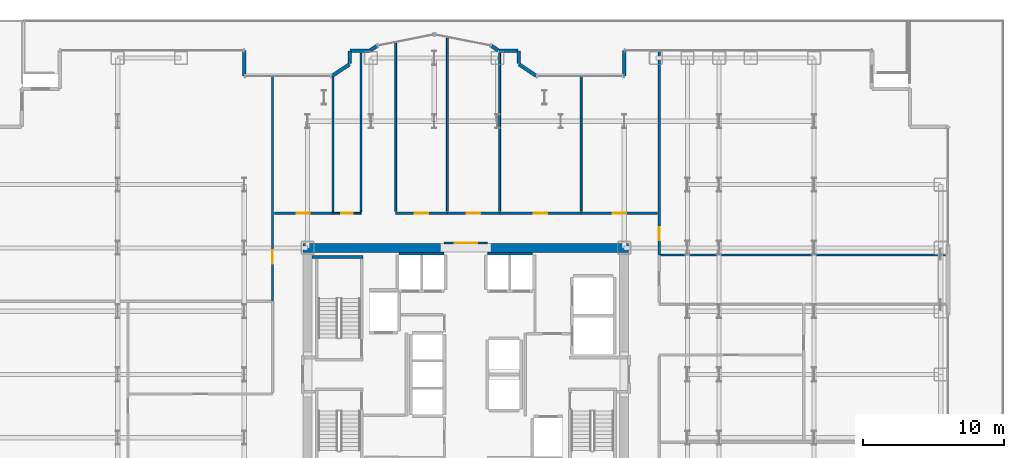
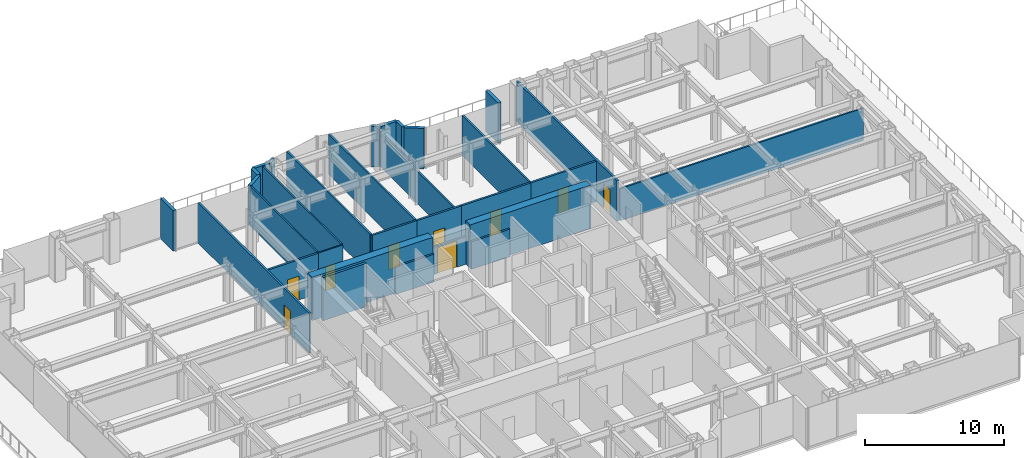
# One storey, part 26 of 30: 31 walls, 9 doors, 9 openings.
"""IFC4 building model written with IfcOpenShell, lengths in metres."""

from ifc_helpers import new_model, si_unit, direction, frame, frame_2d, origin, place, context, subcontext, project, spatial, rectangle, extrude, source, transform, mapped, material, layer, layer_set, type_object, element, fill, save


model = new_model("IFC4")

# Units and contexts
model_context = context("Model", 3, precision=1e-05, world=origin(), true_north=direction((0.0, 1.0)))
body_context = subcontext(model_context, "Body", "Model", "MODEL_VIEW")
ifc_project = project(units=[si_unit("LENGTHUNIT", "METRE"), si_unit("AREAUNIT", "SQUARE_METRE"), si_unit("VOLUMEUNIT", "CUBIC_METRE"), si_unit("PLANEANGLEUNIT", "RADIAN"), si_unit("MASSUNIT", "GRAM", prefix="KILO")], contexts=[model_context])

# Site, building, storey
site_placement = place(None, origin())
site = spatial("IfcSite", under=ifc_project, at=site_placement, CompositionType="ELEMENT")
building_placement = place(site_placement, origin())
building = spatial("IfcBuilding", under=site, at=building_placement, Name="Nefas-Gora Pilgrimage Tower", CompositionType="ELEMENT")
storey_placement = place(building_placement, frame((0.0, 0.0, 33.0)))
storey = spatial("IfcBuildingStorey", under=building, at=storey_placement, Name="L06", CompositionType="ELEMENT", Elevation=33.0)

# Walls
ifc_material_1 = material(Name="Concrete C60/75", Category="concrete")
ifc_layer_1 = layer(ifc_material_1, 0.64990234375)
ifc_layer_set_1 = layer_set([ifc_layer_1], Name="Concrete C60/75")
wall_type_1 = type_object("IfcWallType", Name="SW-CORE-650", PredefinedType="SHEAR", material=ifc_layer_set_1)
shared_shape_1 = source(origin(), body_context, "Body", "SweptSolid", [
    extrude(rectangle(XDim=10.02490234375, YDim=0.64990234375, at=frame_2d((5.012451171875, 0.0))), origin(), (0.0, 0.0, 1.0), 3.800048828125),
])
for number, where, z_axis, x_axis, name in (
    (1, (-11.574951171875, 9.0, 0.0), (0.0, 0.0, 1.0), (1.0, 0.0, 0.0), "L06 Core Shear Wall N-West"),
    (2, (1.550048828125, 9.0, 0.0), (0.0, 0.0, 1.0), (1.0, 0.0, 0.0), "L06 Core Shear Wall N-East"),
):
    element("IfcWall", number, at=place(storey_placement, frame(where, z_axis=z_axis, x_axis=x_axis)), inside=storey, type_object=wall_type_1, Name=name, PredefinedType="SHEAR", context=body_context, shape_type="MappedRepresentation", body=[
        mapped(shared_shape_1, transform((0.0, 0.0, 0.0), x_axis=(1.0, 0.0, 0.0), y_axis=(0.0, 1.0, 0.0), z_axis=(0.0, 0.0, 1.0), scale=1.0)),
    ])
ifc_material_2 = material(Name="Precast concrete C40/50", Category="concrete")
ifc_layer_2 = layer(ifc_material_2, 0.260009765625)
ifc_layer_set_2 = layer_set([ifc_layer_2], Name="Precast concrete C40/50")
wall_type_2 = type_object("IfcWallType", Name="EW-PORTAL-260", PredefinedType="SOLIDWALL", material=ifc_layer_set_2)
shared_shape_2 = source(origin(), body_context, "Body", "SweptSolid", [
    extrude(rectangle(XDim=1.800048828125, YDim=0.260009765625, at=frame_2d((0.89990234375, 0.0))), origin(), (0.0, 0.0, 1.0), 3.550048828125),
])
for number, where, z_axis, x_axis, name in (
    (3, (11.25, 23.02001953125, 0.0), (0.0, 0.0, 1.0), (0.0, -1.0, 0.0), "L06 Lobe Shoulder Precast Spandrel Pier 14"),
    (4, (-15.75, 21.219970703125, 0.0), (0.0, 0.0, 1.0), (0.0, 1.0, 0.0), "L06 Lobe Shoulder Precast Spandrel Pier 23"),
):
    element("IfcWall", number, at=place(storey_placement, frame(where, z_axis=z_axis, x_axis=x_axis)), inside=storey, type_object=wall_type_2, Name=name, PredefinedType="SOLIDWALL", context=body_context, shape_type="MappedRepresentation", body=[
        mapped(shared_shape_2, transform((0.0, 0.0, 0.0), x_axis=(1.0, 0.0, 0.0), y_axis=(0.0, 1.0, 0.0), z_axis=(0.0, 0.0, 1.0), scale=1.0)),
    ])
shared_shape_3 = source(origin(), body_context, "Body", "SweptSolid", [
    extrude(rectangle(XDim=1.468994140625, YDim=0.260009765625, at=frame_2d((0.734375, 0.0))), origin(), (0.0, 0.0, 1.0), 3.550048828125),
])
for number, where, z_axis, x_axis, name in (
    (5, (4.99462890625, 21.235595703125, 0.0), (0.0, 0.0, 1.0), (-0.831461760506, 0.555581983884, 0.0), "L06 Lobe Shoulder Precast Spandrel Pier 15"),
    (6, (-8.273193359375, 22.0517578125, 0.0), (0.0, 0.0, 1.0), (-0.831461760506, -0.555581983884, 0.0), "L06 Lobe Shoulder Precast Spandrel Pier 22"),
):
    element("IfcWall", number, at=place(storey_placement, frame(where, z_axis=z_axis, x_axis=x_axis)), inside=storey, type_object=wall_type_2, Name=name, PredefinedType="SOLIDWALL", context=body_context, shape_type="MappedRepresentation", body=[
        mapped(shared_shape_3, transform((0.0, 0.0, 0.0), x_axis=(1.0, 0.0, 0.0), y_axis=(0.0, 1.0, 0.0), z_axis=(0.0, 0.0, 1.0), scale=1.0)),
    ])
shared_shape_4 = source(origin(), body_context, "Body", "SweptSolid", [
    extrude(rectangle(XDim=0.896728515625, YDim=0.260009765625, at=frame_2d((0.4482421875, 0.0))), origin(), (0.0, 0.0, 1.0), 3.550048828125),
])
for number, where, z_axis, x_axis, name in (
    (7, (3.75, 22.09521484375, 0.0), (0.0, 0.0, 1.0), (0.0, 1.0, 0.0), "L06 Lobe Shoulder Precast Spandrel Pier 16"),
    (8, (-8.25, 22.991943359375, 0.0), (0.0, 0.0, 1.0), (0.0, -1.0, 0.0), "L06 Lobe Shoulder Precast Spandrel Pier 21"),
):
    element("IfcWall", number, at=place(storey_placement, frame(where, z_axis=z_axis, x_axis=x_axis)), inside=storey, type_object=wall_type_2, Name=name, PredefinedType="SOLIDWALL", context=body_context, shape_type="MappedRepresentation", body=[
        mapped(shared_shape_4, transform((0.0, 0.0, 0.0), x_axis=(1.0, 0.0, 0.0), y_axis=(0.0, 1.0, 0.0), z_axis=(0.0, 0.0, 1.0), scale=1.0)),
    ])
shared_shape_5 = source(origin(), body_context, "Body", "SweptSolid", [
    extrude(rectangle(XDim=1.369873046875, YDim=0.260009765625, at=frame_2d((0.68505859375, 0.0))), origin(), (0.0, 0.0, 1.0), 3.550048828125),
])
for number, where, z_axis, x_axis, name in (
    (9, (3.721923828125, 23.02001953125, 0.0), (0.0, 0.0, 1.0), (-1.0, 0.0, 0.0), "L06 Lobe Shoulder Precast Spandrel Pier 17"),
    (10, (-6.85205078125, 23.02001953125, 0.0), (0.0, 0.0, 1.0), (-1.0, 0.0, 0.0), "L06 Lobe Shoulder Precast Spandrel Pier 20"),
):
    element("IfcWall", number, at=place(storey_placement, frame(where, z_axis=z_axis, x_axis=x_axis)), inside=storey, type_object=wall_type_2, Name=name, PredefinedType="SOLIDWALL", context=body_context, shape_type="MappedRepresentation", body=[
        mapped(shared_shape_5, transform((0.0, 0.0, 0.0), x_axis=(1.0, 0.0, 0.0), y_axis=(0.0, 1.0, 0.0), z_axis=(0.0, 0.0, 1.0), scale=1.0)),
    ])
shared_shape_6 = source(origin(), body_context, "Body", "SweptSolid", [
    extrude(rectangle(XDim=0.5654296875, YDim=0.260009765625, at=frame_2d((0.28271484375, 0.0))), origin(), (0.0, 0.0, 1.0), 3.550048828125),
])
for number, where, z_axis, x_axis, name in (
    (11, (2.30078125, 23.03564453125, 0.0), (0.0, 0.0, 1.0), (-0.831651492666, 0.555297933317, 0.0), "L06 Lobe Shoulder Precast Spandrel Pier 18"),
    (12, (-6.33056640625, 23.349609375, 0.0), (0.0, 0.0, 1.0), (-0.831651492666, -0.555297933317, 0.0), "L06 Lobe Shoulder Precast Spandrel Pier 19"),
):
    element("IfcWall", number, at=place(storey_placement, frame(where, z_axis=z_axis, x_axis=x_axis)), inside=storey, type_object=wall_type_2, Name=name, PredefinedType="SOLIDWALL", context=body_context, shape_type="MappedRepresentation", body=[
        mapped(shared_shape_6, transform((0.0, 0.0, 0.0), x_axis=(1.0, 0.0, 0.0), y_axis=(0.0, 1.0, 0.0), z_axis=(0.0, 0.0, 1.0), scale=1.0)),
    ])
ifc_material_3 = material(Name="Concrete C45/55", Category="concrete")
ifc_layer_3 = layer(ifc_material_3, 0.199951171875)
ifc_layer_set_3 = layer_set([ifc_layer_3], Name="Concrete C45/55")
wall_type_3 = type_object("IfcWallType", Name="IW-STAIR-200", PredefinedType="SOLIDWALL", material=ifc_layer_set_3)
shared_shape_7 = source(origin(), body_context, "Body", "SweptSolid", [
    extrude(rectangle(XDim=3.6298828125, YDim=0.199951171875, at=frame_2d((1.81494140625, 0.0))), origin(), (0.0, 0.0, 1.0), 3.800048828125),
])
wall_1_placement = place(storey_placement, frame((-7.300048828125, 8.35009765625, 0.0), z_axis=(0.0, 0.0, 1.0), x_axis=(-1.0, 0.0, 0.0)))
element("IfcWall", 13, at=wall_1_placement, inside=storey, type_object=wall_type_3, Name="L06 Stairwell Shear Wall ST-01-far", PredefinedType="SOLIDWALL", context=body_context, shape_type="MappedRepresentation", body=[
    mapped(shared_shape_7, transform((0.0, 0.0, 0.0), x_axis=(1.0, 0.0, 0.0), y_axis=(0.0, 1.0, 0.0), z_axis=(0.0, 0.0, 1.0), scale=1.0)),
])
ifc_material_4 = material(Name="Gypsum acoustic stud partition")
ifc_layer_4 = layer(ifc_material_4, 0.159912109375)
ifc_layer_set_4 = layer_set([ifc_layer_4], Name="Gypsum acoustic stud partition")
wall_type_4 = type_object("IfcWallType", Name="IW-CORR-160", PredefinedType="PARTITIONING", material=ifc_layer_set_4)
shared_shape_8 = source(origin(), body_context, "Body", "SweptSolid", [
    extrude(rectangle(XDim=3.199951171875, YDim=0.159912109375, at=frame_2d((1.60009765625, 0.0))), origin(), (0.0, 0.0, 1.0), 2.425048828125),
])
for number, where, z_axis, x_axis, name in (
    (14, (-1.550048828125, 8.580078125, 0.0), (0.0, 0.0, 1.0), (-1.0, 0.0, 0.0), "L06 Hoistway Wall PL1-W-N"),
    (15, (4.75, 8.580078125, 0.0), (0.0, 0.0, 1.0), (-1.0, 0.0, 0.0), "L06 Hoistway Wall PL1-E-N"),
):
    element("IfcWall", number, at=place(storey_placement, frame(where, z_axis=z_axis, x_axis=x_axis)), inside=storey, type_object=wall_type_4, Name=name, PredefinedType="PARTITIONING", context=body_context, shape_type="MappedRepresentation", body=[
        mapped(shared_shape_8, transform((0.0, 0.0, 0.0), x_axis=(1.0, 0.0, 0.0), y_axis=(0.0, 1.0, 0.0), z_axis=(0.0, 0.0, 1.0), scale=1.0)),
    ])

# Wall, opening, door
shared_shape_9 = source(origin(), body_context, "Body", "SweptSolid", [
    extrude(rectangle(XDim=3.08984375, YDim=0.159912109375, at=frame_2d((1.544921875, 0.0))), origin(), (0.0, 0.0, 1.0), 2.425048828125),
])
wall_2_placement = place(storey_placement, frame((-1.544921875, 9.35009765625, 0.0), z_axis=(0.0, 0.0, 1.0), x_axis=(1.0, 0.0, 0.0)))
wall_2 = element("IfcWall", 16, at=wall_2_placement, inside=storey, type_object=wall_type_4, Name="L06 Central Lift Lobby North Portal Wall 13", PredefinedType="PARTITIONING", context=body_context, shape_type="MappedRepresentation", body=[
    mapped(shared_shape_9, transform((0.0, 0.0, 0.0), x_axis=(1.0, 0.0, 0.0), y_axis=(0.0, 1.0, 0.0), z_axis=(0.0, 0.0, 1.0), scale=1.0)),
])
opening_1_placement = place(wall_2_placement, frame((0.7451171875, 0.0, 0.0)))
opening_1 = element("IfcOpeningElement", 17, at=opening_1_placement, cuts=wall_2, Name="Opening ID-HL1", PredefinedType="OPENING", context=body_context, shape_type="SweptSolid", body=[
    extrude(rectangle(XDim=1.60009765625, YDim=2.300048828125, at=frame_2d((0.800048828125, 1.14990234375))), frame((0.0, 0.08984375, 0.0), z_axis=(0.0, -1.0, 0.0), x_axis=(1.0, 0.0, 0.0)), (0.0, 0.0, 1.0), 0.179931640625),
])
ifc_material_5 = material(Name="Double acoustic timber assembly hall door", Category="wood")
door_type_1 = type_object("IfcDoorType", Name="DR-INT-HALL-1600", OperationType="DOUBLE_DOOR_SINGLE_SWING", PredefinedType="DOOR", material=ifc_material_5)
shared_shape_10 = source(origin(), body_context, "Body", "SweptSolid", [
    extrude(rectangle(XDim=1.60009765625, YDim=2.300048828125, at=frame_2d((0.800048828125, 1.14990234375))), frame((0.0, 0.02490234375, 0.0), z_axis=(0.0, -1.0, 0.0), x_axis=(1.0, 0.0, 0.0)), (0.0, 0.0, 1.0), 0.050048828125),
])
door_1_placement = place(opening_1_placement, origin())
door_1 = element("IfcDoor", 18, at=door_1_placement, inside=storey, type_object=door_type_1, Name="L06 Central Lift Lobby North Portal Door 4", OperationType="DOUBLE_DOOR_SINGLE_SWING", OverallHeight=2.300048828125, OverallWidth=1.60009765625, PredefinedType="DOOR", context=body_context, shape_type="MappedRepresentation", body=[
    mapped(shared_shape_10, transform((0.0, 0.0, 0.0), x_axis=(1.0, 0.0, 0.0), y_axis=(0.0, 1.0, 0.0), z_axis=(0.0, 0.0, 1.0), scale=1.0)),
])
fill(opening_1, door_1)

ifc_material_6 = material(Name="Moisture-resistant fire-rated gypsum partition")
ifc_layer_5 = layer(ifc_material_6, 0.1201171875)
ifc_layer_set_5 = layer_set([ifc_layer_5], Name="Moisture-resistant fire-rated gypsum partition")
wall_type_5 = type_object("IfcWallType", Name="IW-WET-120", PredefinedType="PLUMBINGWALL", material=ifc_layer_set_5)
shared_shape_11 = source(origin(), body_context, "Body", "SweptSolid", [
    extrude(rectangle(XDim=2.02001953125, YDim=0.1201171875, at=frame_2d((1.010009765625, 0.0))), origin(), (0.0, 0.0, 1.0), 3.534912109375),
])
wall_3_placement = place(storey_placement, frame((-9.4599609375, 11.469970703125, 0.0), z_axis=(0.0, 0.0, 1.0), x_axis=(1.0, 0.0, 0.0)))
wall_3 = element("IfcWall", 19, at=wall_3_placement, inside=storey, type_object=wall_type_5, Name="L06 Accessible Unisex WC Partition Wall 20", PredefinedType="PLUMBINGWALL", context=body_context, shape_type="MappedRepresentation", body=[
    mapped(shared_shape_11, transform((0.0, 0.0, 0.0), x_axis=(1.0, 0.0, 0.0), y_axis=(0.0, 1.0, 0.0), z_axis=(0.0, 0.0, 1.0), scale=1.0)),
])
opening_2_placement = place(wall_3_placement, frame((0.5849609375, 0.0, 0.0)))
opening_2 = element("IfcOpeningElement", 20, at=opening_2_placement, cuts=wall_3, Name="Opening ID-BT1", PredefinedType="OPENING", context=body_context, shape_type="SweptSolid", body=[
    extrude(rectangle(XDim=0.85009765625, YDim=2.10009765625, at=frame_2d((0.425048828125, 1.050048828125))), frame((0.0, 0.070068359375, 0.0), z_axis=(0.0, -1.0, 0.0), x_axis=(1.0, 0.0, 0.0)), (0.0, 0.0, 1.0), 0.14013671875),
])
ifc_material_7 = material(Name="Moisture-resistant fire-rated timber door", Category="wood")
door_type_2 = type_object("IfcDoorType", Name="DR-INT-BATH-850", OperationType="NOTDEFINED", PredefinedType="DOOR", material=ifc_material_7)
shared_shape_12 = source(origin(), body_context, "Body", "SweptSolid", [
    extrude(rectangle(XDim=0.85009765625, YDim=2.10009765625, at=frame_2d((0.425048828125, 1.050048828125))), frame((0.0, 0.02490234375, 0.0), z_axis=(0.0, -1.0, 0.0), x_axis=(1.0, 0.0, 0.0)), (0.0, 0.0, 1.0), 0.050048828125),
])
door_2_placement = place(opening_2_placement, origin())
door_2 = element("IfcDoor", 21, at=door_2_placement, inside=storey, type_object=door_type_2, Name="L06 Accessible Unisex WC Door 8", OperationType="SINGLE_SWING_RIGHT", OverallHeight=2.10009765625, OverallWidth=0.85009765625, PredefinedType="DOOR", context=body_context, shape_type="MappedRepresentation", body=[
    mapped(shared_shape_12, transform((0.0, 0.0, 0.0), x_axis=(1.0, 0.0, 0.0), y_axis=(0.0, 1.0, 0.0), z_axis=(0.0, 0.0, 1.0), scale=1.0)),
])
fill(opening_2, door_2)

# Walls
shared_shape_13 = source(origin(), body_context, "Body", "SweptSolid", [
    extrude(rectangle(XDim=11.280029296875, YDim=0.1201171875, at=frame_2d((5.64013671875, 0.0))), origin(), (0.0, 0.0, 1.0), 3.534912109375),
])
wall_4_placement = place(storey_placement, frame((-7.449951171875, 11.570068359375, 0.0), z_axis=(0.0, 0.0, 1.0), x_axis=(0.0, 1.0, 0.0)))
element("IfcWall", 22, at=wall_4_placement, inside=storey, type_object=wall_type_5, Name="L06 Accessible Unisex WC Partition Wall 21", PredefinedType="PLUMBINGWALL", context=body_context, shape_type="MappedRepresentation", body=[
    mapped(shared_shape_13, transform((0.0, 0.0, 0.0), x_axis=(1.0, 0.0, 0.0), y_axis=(0.0, 1.0, 0.0), z_axis=(0.0, 0.0, 1.0), scale=1.0)),
])
shared_shape_14 = source(origin(), body_context, "Body", "SweptSolid", [
    extrude(rectangle(XDim=9.586669921875, YDim=0.1201171875, at=frame_2d((4.79345703125, 0.0))), origin(), (0.0, 0.0, 1.0), 3.534912109375),
])
wall_5_placement = place(storey_placement, frame((-9.449951171875, 11.570068359375, 0.0), z_axis=(0.0, 0.0, 1.0), x_axis=(0.0, 1.0, 0.0)))
element("IfcWall", 23, at=wall_5_placement, inside=storey, type_object=wall_type_5, Name="L06 Accessible Unisex WC Partition Wall 22", PredefinedType="PLUMBINGWALL", context=body_context, shape_type="MappedRepresentation", body=[
    mapped(shared_shape_14, transform((0.0, 0.0, 0.0), x_axis=(1.0, 0.0, 0.0), y_axis=(0.0, 1.0, 0.0), z_axis=(0.0, 0.0, 1.0), scale=1.0)),
])

# Wall, opening, door
shared_shape_15 = source(origin(), body_context, "Body", "SweptSolid", [
    extrude(rectangle(XDim=16.044921875, YDim=0.159912109375, at=frame_2d((8.0224609375, 0.0))), origin(), (0.0, 0.0, 1.0), 3.534912109375),
])
wall_6_placement = place(storey_placement, frame((-13.739990234375, 5.195068359375, 0.0), z_axis=(0.0, 0.0, 1.0), x_axis=(0.0, 1.0, 0.0)))
wall_6 = element("IfcWall", 24, at=wall_6_placement, inside=storey, type_object=wall_type_4, Name="L06 Pilgrim Contemplative Lounge Partition Wall 29", PredefinedType="PARTITIONING", context=body_context, shape_type="MappedRepresentation", body=[
    mapped(shared_shape_15, transform((0.0, 0.0, 0.0), x_axis=(1.0, 0.0, 0.0), y_axis=(0.0, 1.0, 0.0), z_axis=(0.0, 0.0, 1.0), scale=1.0)),
])
opening_3_placement = place(wall_6_placement, frame((2.6826171875, 0.0, 0.0)))
opening_3 = element("IfcOpeningElement", 25, at=opening_3_placement, cuts=wall_6, Name="Opening ID-GR1", PredefinedType="OPENING", context=body_context, shape_type="SweptSolid", body=[
    extrude(rectangle(XDim=0.949951171875, YDim=2.10009765625, at=frame_2d((0.47509765625, 1.050048828125))), frame((0.0, 0.08984375, 0.0), z_axis=(0.0, -1.0, 0.0), x_axis=(1.0, 0.0, 0.0)), (0.0, 0.0, 1.0), 0.179931640625),
])
ifc_material_8 = material(Name="Solid core oak fire-rated guest entrance door")
door_type_3 = type_object("IfcDoorType", Name="DR-INT-GUEST-950", OperationType="NOTDEFINED", PredefinedType="DOOR", material=ifc_material_8)
shared_shape_16 = source(origin(), body_context, "Body", "SweptSolid", [
    extrude(rectangle(XDim=0.949951171875, YDim=2.10009765625, at=frame_2d((0.47509765625, 1.050048828125))), frame((0.0, 0.02490234375, 0.0), z_axis=(0.0, -1.0, 0.0), x_axis=(1.0, 0.0, 0.0)), (0.0, 0.0, 1.0), 0.050048828125),
])
door_3_placement = place(opening_3_placement, origin())
door_3 = element("IfcDoor", 26, at=door_3_placement, inside=storey, type_object=door_type_3, Name="L06 Pilgrim Contemplative Lounge Door 12", OperationType="SINGLE_SWING_RIGHT", OverallHeight=2.10009765625, OverallWidth=0.949951171875, PredefinedType="DOOR", context=body_context, shape_type="MappedRepresentation", body=[
    mapped(shared_shape_16, transform((0.0, 0.0, 0.0), x_axis=(1.0, 0.0, 0.0), y_axis=(0.0, 1.0, 0.0), z_axis=(0.0, 0.0, 1.0), scale=1.0)),
])
fill(opening_3, door_3)

# Wall
ifc_material_9 = material(Name="Gypsum twin-stud partition")
ifc_layer_6 = layer(ifc_material_9, 0.139892578125)
ifc_layer_set_6 = layer_set([ifc_layer_6], Name="Gypsum twin-stud partition")
wall_type_6 = type_object("IfcWallType", Name="IW-UNIT-140", PredefinedType="PARTITIONING", material=ifc_layer_set_6)
shared_shape_17 = source(origin(), body_context, "Body", "SweptSolid", [
    extrude(rectangle(XDim=20.219970703125, YDim=0.139892578125, at=frame_2d((10.10986328125, 0.0))), origin(), (0.0, 0.0, 1.0), 2.824951171875),
])
wall_7_placement = place(storey_placement, frame((13.860107421875, 8.4951171875, 0.0), z_axis=(0.0, 0.0, 1.0), x_axis=(1.0, 0.0, 0.0)))
element("IfcWall", 27, at=wall_7_placement, inside=storey, type_object=wall_type_6, Name="L06 Pilgrim Contemplative Lounge Partition Wall 40", PredefinedType="PARTITIONING", context=body_context, shape_type="MappedRepresentation", body=[
    mapped(shared_shape_17, transform((0.0, 0.0, 0.0), x_axis=(1.0, 0.0, 0.0), y_axis=(0.0, 1.0, 0.0), z_axis=(0.0, 0.0, 1.0), scale=1.0)),
])

# Wall, opening, door
shared_shape_18 = source(origin(), body_context, "Body", "SweptSolid", [
    extrude(rectangle(XDim=14.544921875, YDim=0.159912109375, at=frame_2d((7.2724609375, 0.0))), origin(), (0.0, 0.0, 1.0), 3.534912109375),
])
wall_8_placement = place(storey_placement, frame((13.739990234375, 8.4951171875, 0.0), z_axis=(0.0, 0.0, 1.0), x_axis=(0.0, 1.0, 0.0)))
wall_8 = element("IfcWall", 28, at=wall_8_placement, inside=storey, type_object=wall_type_4, Name="L06 Pilgrim Contemplative Lounge Partition Wall 41", PredefinedType="PARTITIONING", context=body_context, shape_type="MappedRepresentation", body=[
    mapped(shared_shape_18, transform((0.0, 0.0, 0.0), x_axis=(1.0, 0.0, 0.0), y_axis=(0.0, 1.0, 0.0), z_axis=(0.0, 0.0, 1.0), scale=1.0)),
])
opening_4_placement = place(wall_8_placement, frame((1.032470703125, 0.0, 0.0)))
opening_4 = element("IfcOpeningElement", 29, at=opening_4_placement, cuts=wall_8, Name="Opening ID-GR1", PredefinedType="OPENING", context=body_context, shape_type="SweptSolid", body=[
    extrude(rectangle(XDim=0.949951171875, YDim=2.10009765625, at=frame_2d((0.47509765625, 1.050048828125))), frame((0.0, 0.08984375, 0.0), z_axis=(0.0, -1.0, 0.0), x_axis=(1.0, 0.0, 0.0)), (0.0, 0.0, 1.0), 0.179931640625),
])
door_4_placement = place(opening_4_placement, origin())
door_4 = element("IfcDoor", 30, at=door_4_placement, inside=storey, type_object=door_type_3, Name="L06 Pilgrim Contemplative Lounge Door 18", OperationType="SINGLE_SWING_RIGHT", OverallHeight=2.10009765625, OverallWidth=0.949951171875, PredefinedType="DOOR", context=body_context, shape_type="MappedRepresentation", body=[
    mapped(shared_shape_16, transform((0.0, 0.0, 0.0), x_axis=(1.0, 0.0, 0.0), y_axis=(0.0, 1.0, 0.0), z_axis=(0.0, 0.0, 1.0), scale=1.0)),
])
fill(opening_4, door_4)

shared_shape_19 = source(origin(), body_context, "Body", "SweptSolid", [
    extrude(rectangle(XDim=4.125, YDim=0.159912109375, at=frame_2d((2.0625, 0.0))), origin(), (0.0, 0.0, 1.0), 3.534912109375),
])
wall_9_placement = place(storey_placement, frame((-13.6201171875, 11.469970703125, 0.0), z_axis=(0.0, 0.0, 1.0), x_axis=(1.0, 0.0, 0.0)))
wall_9 = element("IfcWall", 31, at=wall_9_placement, inside=storey, type_object=wall_type_4, Name="L06 Pilgrim Contemplative Lounge Partition Wall 42", PredefinedType="PARTITIONING", context=body_context, shape_type="MappedRepresentation", body=[
    mapped(shared_shape_19, transform((0.0, 0.0, 0.0), x_axis=(1.0, 0.0, 0.0), y_axis=(0.0, 1.0, 0.0), z_axis=(0.0, 0.0, 1.0), scale=1.0)),
])
opening_5_placement = place(wall_9_placement, frame((1.58740234375, 0.0, 0.0)))
opening_5 = element("IfcOpeningElement", 32, at=opening_5_placement, cuts=wall_9, Name="Opening ID-GR1", PredefinedType="OPENING", context=body_context, shape_type="SweptSolid", body=[
    extrude(rectangle(XDim=0.949951171875, YDim=2.10009765625, at=frame_2d((0.47509765625, 1.050048828125))), frame((0.0, 0.08984375, 0.0), z_axis=(0.0, -1.0, 0.0), x_axis=(1.0, 0.0, 0.0)), (0.0, 0.0, 1.0), 0.179931640625),
])
door_5_placement = place(opening_5_placement, origin())
door_5 = element("IfcDoor", 33, at=door_5_placement, inside=storey, type_object=door_type_3, Name="L06 Pilgrim Contemplative Lounge Door 19", OperationType="SINGLE_SWING_LEFT", OverallHeight=2.10009765625, OverallWidth=0.949951171875, PredefinedType="DOOR", context=body_context, shape_type="MappedRepresentation", body=[
    mapped(shared_shape_16, transform((0.0, 0.0, 0.0), x_axis=(1.0, 0.0, 0.0), y_axis=(0.0, 1.0, 0.0), z_axis=(0.0, 0.0, 1.0), scale=1.0)),
])
fill(opening_5, door_5)

shared_shape_20 = source(origin(), body_context, "Body", "SweptSolid", [
    extrude(rectangle(XDim=3.704833984375, YDim=0.159912109375, at=frame_2d((1.8525390625, 0.0))), origin(), (0.0, 0.0, 1.0), 3.534912109375),
])
wall_10_placement = place(storey_placement, frame((-5.0048828125, 11.469970703125, 0.0), z_axis=(0.0, 0.0, 1.0), x_axis=(1.0, 0.0, 0.0)))
wall_10 = element("IfcWall", 34, at=wall_10_placement, inside=storey, type_object=wall_type_4, Name="L06 Pilgrim Contemplative Lounge Partition Wall 43", PredefinedType="PARTITIONING", context=body_context, shape_type="MappedRepresentation", body=[
    mapped(shared_shape_20, transform((0.0, 0.0, 0.0), x_axis=(1.0, 0.0, 0.0), y_axis=(0.0, 1.0, 0.0), z_axis=(0.0, 0.0, 1.0), scale=1.0)),
])
opening_6_placement = place(wall_10_placement, frame((1.37744140625, 0.0, 0.0)))
opening_6 = element("IfcOpeningElement", 35, at=opening_6_placement, cuts=wall_10, Name="Opening ID-GR1", PredefinedType="OPENING", context=body_context, shape_type="SweptSolid", body=[
    extrude(rectangle(XDim=0.949951171875, YDim=2.10009765625, at=frame_2d((0.47509765625, 1.050048828125))), frame((0.0, 0.08984375, 0.0), z_axis=(0.0, -1.0, 0.0), x_axis=(1.0, 0.0, 0.0)), (0.0, 0.0, 1.0), 0.179931640625),
])
door_6_placement = place(opening_6_placement, origin())
door_6 = element("IfcDoor", 36, at=door_6_placement, inside=storey, type_object=door_type_3, Name="L06 Pilgrim Contemplative Lounge Door 20", OperationType="SINGLE_SWING_RIGHT", OverallHeight=2.10009765625, OverallWidth=0.949951171875, PredefinedType="DOOR", context=body_context, shape_type="MappedRepresentation", body=[
    mapped(shared_shape_16, transform((0.0, 0.0, 0.0), x_axis=(1.0, 0.0, 0.0), y_axis=(0.0, 1.0, 0.0), z_axis=(0.0, 0.0, 1.0), scale=1.0)),
])
fill(opening_6, door_6)

# Walls
shared_shape_21 = source(origin(), body_context, "Body", "SweptSolid", [
    extrude(rectangle(XDim=12.415771484375, YDim=0.139892578125, at=frame_2d((6.2080078125, 0.0))), origin(), (0.0, 0.0, 1.0), 3.534912109375),
])
wall_11_placement = place(storey_placement, frame((-1.31005859375, 11.590087890625, 0.0), z_axis=(0.0, 0.0, 1.0), x_axis=(0.0, 1.0, 0.0)))
element("IfcWall", 37, at=wall_11_placement, inside=storey, type_object=wall_type_6, Name="L06 Pilgrim Contemplative Lounge Partition Wall 44", PredefinedType="PARTITIONING", context=body_context, shape_type="MappedRepresentation", body=[
    mapped(shared_shape_21, transform((0.0, 0.0, 0.0), x_axis=(1.0, 0.0, 0.0), y_axis=(0.0, 1.0, 0.0), z_axis=(0.0, 0.0, 1.0), scale=1.0)),
])
shared_shape_22 = source(origin(), body_context, "Body", "SweptSolid", [
    extrude(rectangle(XDim=12.056640625, YDim=0.139892578125, at=frame_2d((6.0283203125, 0.0))), origin(), (0.0, 0.0, 1.0), 3.534912109375),
])
wall_12_placement = place(storey_placement, frame((-4.9951171875, 11.590087890625, 0.0), z_axis=(0.0, 0.0, 1.0), x_axis=(0.0, 1.0, 0.0)))
element("IfcWall", 38, at=wall_12_placement, inside=storey, type_object=wall_type_6, Name="L06 Pilgrim Contemplative Lounge Partition Wall 45", PredefinedType="PARTITIONING", context=body_context, shape_type="MappedRepresentation", body=[
    mapped(shared_shape_22, transform((0.0, 0.0, 0.0), x_axis=(1.0, 0.0, 0.0), y_axis=(0.0, 1.0, 0.0), z_axis=(0.0, 0.0, 1.0), scale=1.0)),
])

# Wall, opening, door
shared_shape_23 = source(origin(), body_context, "Body", "SweptSolid", [
    extrude(rectangle(XDim=3.705078125, YDim=0.159912109375, at=frame_2d((1.8525390625, 0.0))), origin(), (0.0, 0.0, 1.0), 3.534912109375),
])
wall_13_placement = place(storey_placement, frame((-1.300048828125, 11.469970703125, 0.0), z_axis=(0.0, 0.0, 1.0), x_axis=(1.0, 0.0, 0.0)))
wall_13 = element("IfcWall", 39, at=wall_13_placement, inside=storey, type_object=wall_type_4, Name="L06 Pilgrim Contemplative Lounge Partition Wall 46", PredefinedType="PARTITIONING", context=body_context, shape_type="MappedRepresentation", body=[
    mapped(shared_shape_23, transform((0.0, 0.0, 0.0), x_axis=(1.0, 0.0, 0.0), y_axis=(0.0, 1.0, 0.0), z_axis=(0.0, 0.0, 1.0), scale=1.0)),
])
opening_7_placement = place(wall_13_placement, frame((1.37744140625, 0.0, 0.0)))
opening_7 = element("IfcOpeningElement", 40, at=opening_7_placement, cuts=wall_13, Name="Opening ID-GR1", PredefinedType="OPENING", context=body_context, shape_type="SweptSolid", body=[
    extrude(rectangle(XDim=0.949951171875, YDim=2.10009765625, at=frame_2d((0.47509765625, 1.050048828125))), frame((0.0, 0.08984375, 0.0), z_axis=(0.0, -1.0, 0.0), x_axis=(1.0, 0.0, 0.0)), (0.0, 0.0, 1.0), 0.179931640625),
])
door_7_placement = place(opening_7_placement, origin())
door_7 = element("IfcDoor", 41, at=door_7_placement, inside=storey, type_object=door_type_3, Name="L06 Pilgrim Contemplative Lounge Door 21", OperationType="SINGLE_SWING_LEFT", OverallHeight=2.10009765625, OverallWidth=0.949951171875, PredefinedType="DOOR", context=body_context, shape_type="MappedRepresentation", body=[
    mapped(shared_shape_16, transform((0.0, 0.0, 0.0), x_axis=(1.0, 0.0, 0.0), y_axis=(0.0, 1.0, 0.0), z_axis=(0.0, 0.0, 1.0), scale=1.0)),
])
fill(opening_7, door_7)

# Wall
shared_shape_24 = source(origin(), body_context, "Body", "SweptSolid", [
    extrude(rectangle(XDim=11.260009765625, YDim=0.139892578125, at=frame_2d((5.6298828125, 0.0))), origin(), (0.0, 0.0, 1.0), 2.824951171875),
])
wall_14_placement = place(storey_placement, frame((2.39501953125, 11.590087890625, 0.0), z_axis=(0.0, 0.0, 1.0), x_axis=(0.0, 1.0, 0.0)))
element("IfcWall", 42, at=wall_14_placement, inside=storey, type_object=wall_type_6, Name="L06 Pilgrim Contemplative Lounge Partition Wall 47", PredefinedType="PARTITIONING", context=body_context, shape_type="MappedRepresentation", body=[
    mapped(shared_shape_24, transform((0.0, 0.0, 0.0), x_axis=(1.0, 0.0, 0.0), y_axis=(0.0, 1.0, 0.0), z_axis=(0.0, 0.0, 1.0), scale=1.0)),
])

# Wall, opening, door
shared_shape_25 = source(origin(), body_context, "Body", "SweptSolid", [
    extrude(rectangle(XDim=5.81005859375, YDim=0.159912109375, at=frame_2d((2.905029296875, 0.0))), origin(), (0.0, 0.0, 1.0), 3.534912109375),
])
wall_15_placement = place(storey_placement, frame((2.39501953125, 11.469970703125, 0.0), z_axis=(0.0, 0.0, 1.0), x_axis=(1.0, 0.0, 0.0)))
wall_15 = element("IfcWall", 43, at=wall_15_placement, inside=storey, type_object=wall_type_4, Name="L06 Pilgrim Contemplative Lounge Partition Wall 48", PredefinedType="PARTITIONING", context=body_context, shape_type="MappedRepresentation", body=[
    mapped(shared_shape_25, transform((0.0, 0.0, 0.0), x_axis=(1.0, 0.0, 0.0), y_axis=(0.0, 1.0, 0.0), z_axis=(0.0, 0.0, 1.0), scale=1.0)),
])
opening_8_placement = place(wall_15_placement, frame((2.429931640625, 0.0, 0.0)))
opening_8 = element("IfcOpeningElement", 44, at=opening_8_placement, cuts=wall_15, Name="Opening ID-GR1", PredefinedType="OPENING", context=body_context, shape_type="SweptSolid", body=[
    extrude(rectangle(XDim=0.949951171875, YDim=2.10009765625, at=frame_2d((0.47509765625, 1.050048828125))), frame((0.0, 0.08984375, 0.0), z_axis=(0.0, -1.0, 0.0), x_axis=(1.0, 0.0, 0.0)), (0.0, 0.0, 1.0), 0.179931640625),
])
door_8_placement = place(opening_8_placement, origin())
door_8 = element("IfcDoor", 45, at=door_8_placement, inside=storey, type_object=door_type_3, Name="L06 Pilgrim Contemplative Lounge Door 22", OperationType="SINGLE_SWING_RIGHT", OverallHeight=2.10009765625, OverallWidth=0.949951171875, PredefinedType="DOOR", context=body_context, shape_type="MappedRepresentation", body=[
    mapped(shared_shape_16, transform((0.0, 0.0, 0.0), x_axis=(1.0, 0.0, 0.0), y_axis=(0.0, 1.0, 0.0), z_axis=(0.0, 0.0, 1.0), scale=1.0)),
])
fill(opening_8, door_8)

# Wall
shared_shape_26 = source(origin(), body_context, "Body", "SweptSolid", [
    extrude(rectangle(XDim=9.64990234375, YDim=0.139892578125, at=frame_2d((4.824951171875, 0.0))), origin(), (0.0, 0.0, 1.0), 3.534912109375),
])
wall_16_placement = place(storey_placement, frame((8.195068359375, 11.590087890625, 0.0), z_axis=(0.0, 0.0, 1.0), x_axis=(0.0, 1.0, 0.0)))
element("IfcWall", 46, at=wall_16_placement, inside=storey, type_object=wall_type_6, Name="L06 Pilgrim Contemplative Lounge Partition Wall 49", PredefinedType="PARTITIONING", context=body_context, shape_type="MappedRepresentation", body=[
    mapped(shared_shape_26, transform((0.0, 0.0, 0.0), x_axis=(1.0, 0.0, 0.0), y_axis=(0.0, 1.0, 0.0), z_axis=(0.0, 0.0, 1.0), scale=1.0)),
])

# Wall, opening, door
shared_shape_27 = source(origin(), body_context, "Body", "SweptSolid", [
    extrude(rectangle(XDim=5.425048828125, YDim=0.159912109375, at=frame_2d((2.71240234375, 0.0))), origin(), (0.0, 0.0, 1.0), 3.534912109375),
])
wall_17_placement = place(storey_placement, frame((8.195068359375, 11.469970703125, 0.0), z_axis=(0.0, 0.0, 1.0), x_axis=(1.0, 0.0, 0.0)))
wall_17 = element("IfcWall", 47, at=wall_17_placement, inside=storey, type_object=wall_type_4, Name="L06 Pilgrim Contemplative Lounge Partition Wall 50", PredefinedType="PARTITIONING", context=body_context, shape_type="MappedRepresentation", body=[
    mapped(shared_shape_27, transform((0.0, 0.0, 0.0), x_axis=(1.0, 0.0, 0.0), y_axis=(0.0, 1.0, 0.0), z_axis=(0.0, 0.0, 1.0), scale=1.0)),
])
opening_9_placement = place(wall_17_placement, frame((2.237548828125, 0.0, 0.0)))
opening_9 = element("IfcOpeningElement", 48, at=opening_9_placement, cuts=wall_17, Name="Opening ID-GR1", PredefinedType="OPENING", context=body_context, shape_type="SweptSolid", body=[
    extrude(rectangle(XDim=0.949951171875, YDim=2.10009765625, at=frame_2d((0.47509765625, 1.050048828125))), frame((0.0, 0.08984375, 0.0), z_axis=(0.0, -1.0, 0.0), x_axis=(1.0, 0.0, 0.0)), (0.0, 0.0, 1.0), 0.179931640625),
])
door_9_placement = place(opening_9_placement, origin())
door_9 = element("IfcDoor", 49, at=door_9_placement, inside=storey, type_object=door_type_3, Name="L06 Pilgrim Contemplative Lounge Door 23", OperationType="SINGLE_SWING_LEFT", OverallHeight=2.10009765625, OverallWidth=0.949951171875, PredefinedType="DOOR", context=body_context, shape_type="MappedRepresentation", body=[
    mapped(shared_shape_16, transform((0.0, 0.0, 0.0), x_axis=(1.0, 0.0, 0.0), y_axis=(0.0, 1.0, 0.0), z_axis=(0.0, 0.0, 1.0), scale=1.0)),
])
fill(opening_9, door_9)

save(model, "model.ifc")
